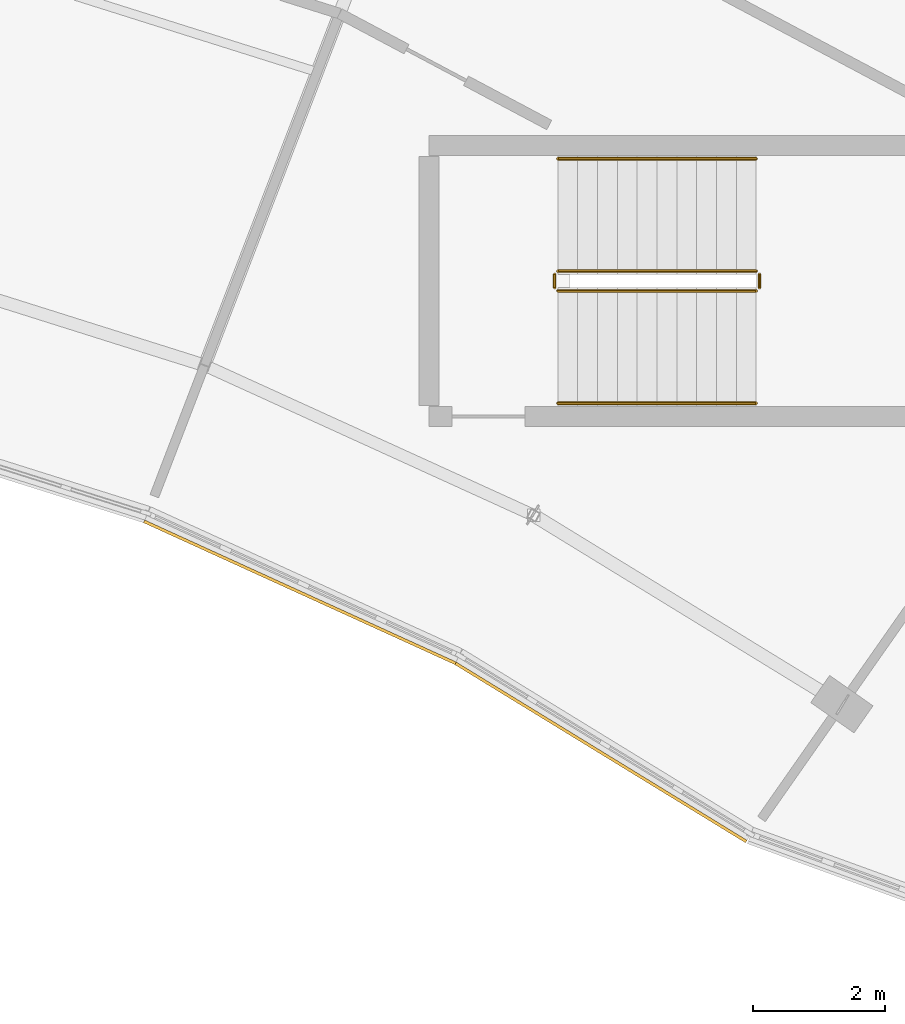
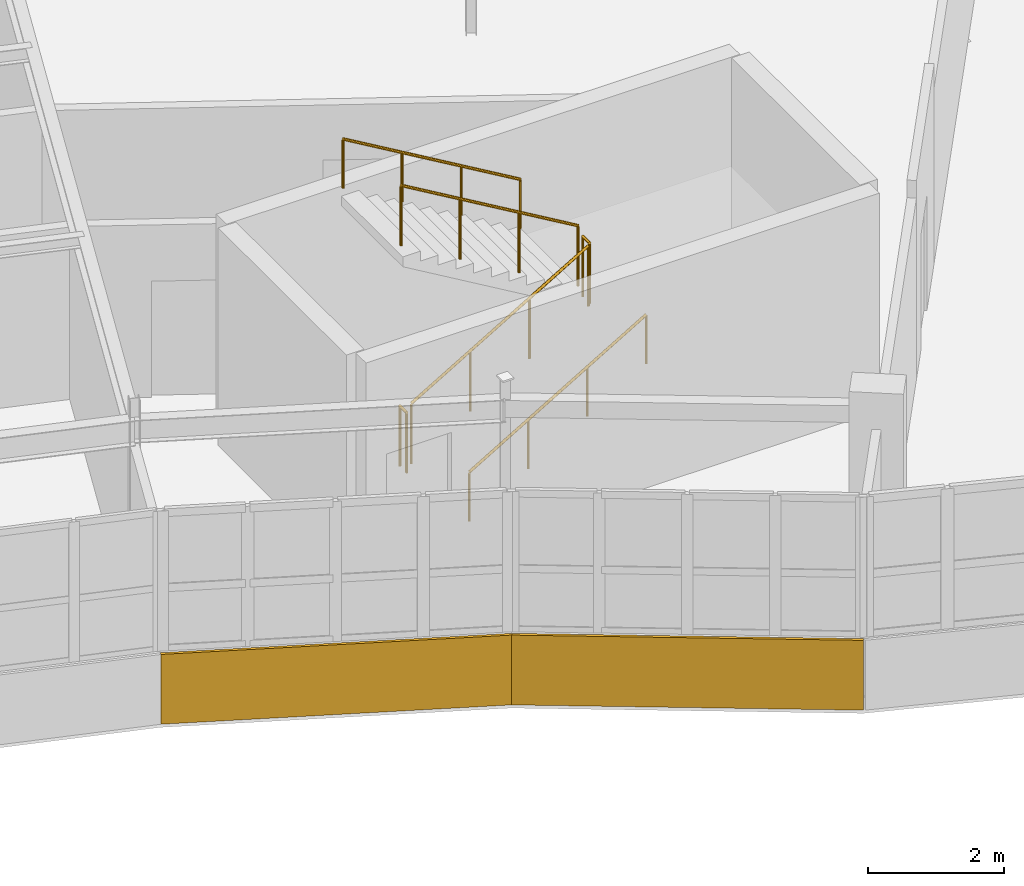
# One storey, part 64 of 65: 6 railings, 2 coverings.
"""IFC4 building model written with IfcOpenShell, lengths in metres."""

import ifcopenshell
import ifcopenshell.guid

model = None  # the IFC model being written
_history = None  # IfcOwnerHistory: only IFC2X3 demands one
_inside = {}  # id of a spatial element -> (the spatial element, [elements in it])
_under = {}  # id of a project, library or spatial element -> (it, [spatial elements below it])
_declared = {}  # id of a project -> (the project, [libraries it declares])
_typed = {}  # id of a type object -> (the type object, [elements of that type])
_made_of = {}  # id of a material, layer set ... -> (it, [elements and type objects made of it])


def new_model(schema):
    """Start an empty IFC model of exactly this schema.

    Asked for "IFC4X3", IfcOpenShell would pick the latest addendum, in which some entities
    have other attributes; the version numbers below select the first issue.
    IFC2X3 requires an IfcOwnerHistory on every rooted entity: one is made here for all.
    """
    global model, _history
    if schema == "IFC4X3":
        model = ifcopenshell.file(schema_version=(4, 3, 0, 0))
    else:
        model = ifcopenshell.file(schema=schema)
    _inside.clear()
    _under.clear()
    _declared.clear()
    _typed.clear()
    _made_of.clear()
    _history = None
    if model.schema == "IFC2X3":
        org = make("IfcOrganization", Name="unknown")
        user = make(
            "IfcPersonAndOrganization",
            ThePerson=make("IfcPerson", FamilyName="unknown"),
            TheOrganization=org,
        )
        app = make(
            "IfcApplication",
            ApplicationDeveloper=org,
            Version="unknown",
            ApplicationFullName="unknown",
            ApplicationIdentifier="unknown",
        )
        _history = make(
            "IfcOwnerHistory",
            OwningUser=user,
            OwningApplication=app,
            ChangeAction="ADDED",
            CreationDate=0,
        )
    return model


def make(cls, **values):
    """One entity of the class cls with the attributes given. An attribute that is None is left unset."""
    return model.create_entity(
        cls, **{name: value for name, value in values.items() if value is not None}
    )


def rooted(cls, **values):
    """An entity with a GlobalId (a new one), such as an element, a storey or a relation."""
    return make(cls, GlobalId=ifcopenshell.guid.new(), OwnerHistory=_history, **values)


def si_unit(unit_type, name, prefix=None):
    """IfcSIUnit, for example si_unit("LENGTHUNIT", "METRE", prefix="MILLI")."""
    return make("IfcSIUnit", UnitType=unit_type, Prefix=prefix, Name=name)


def assignment(units):
    """IfcUnitAssignment: the units of a project."""
    return None if units is None else make("IfcUnitAssignment", Units=units)


def point(xyz):
    """IfcCartesianPoint."""
    return None if xyz is None else make("IfcCartesianPoint", Coordinates=xyz)


def direction(xyz):
    """IfcDirection."""
    return None if xyz is None else make("IfcDirection", DirectionRatios=xyz)


def frame(location, z_axis=None, x_axis=None):
    """IfcAxis2Placement3D, a coordinate frame: its origin and axes. An axis left out is left unset."""
    return make(
        "IfcAxis2Placement3D",
        Location=point(location),
        Axis=direction(z_axis),
        RefDirection=direction(x_axis),
    )


def frame_2d(location, x_axis=None):
    """IfcAxis2Placement2D, a coordinate frame in the plane: its origin and x axis."""
    return make(
        "IfcAxis2Placement2D", Location=point(location), RefDirection=direction(x_axis)
    )


def origin():
    """The frame at (0, 0, 0) with its axes left unset."""
    return frame((0.0, 0.0, 0.0))


def origin_2d():
    """The frame at (0, 0) in the plane with its x axis left unset."""
    return frame_2d((0.0, 0.0))


def place(relative_to, where):
    """IfcLocalPlacement: puts the frame where relative to a parent placement (None: the world)."""
    return make(
        "IfcLocalPlacement", PlacementRelTo=relative_to, RelativePlacement=where
    )


def context(
    kind, dimensions, precision=None, world=None, true_north=None, identifier=None
):
    """IfcGeometricRepresentationContext, for example the 3D "Model" context."""
    return make(
        "IfcGeometricRepresentationContext",
        ContextIdentifier=identifier,
        ContextType=kind,
        CoordinateSpaceDimension=dimensions,
        Precision=precision,
        WorldCoordinateSystem=world,
        TrueNorth=true_north,
    )


def subcontext(parent, identifier, kind, view, scale=None):
    """IfcGeometricRepresentationSubContext, for example "Body" below "Model"."""
    return make(
        "IfcGeometricRepresentationSubContext",
        ContextIdentifier=identifier,
        ContextType=kind,
        ParentContext=parent,
        TargetScale=scale,
        TargetView=view,
    )


def project(units=None, contexts=None):
    """IfcProject with its units and contexts."""
    return rooted(
        "IfcProject",
        Name="project",
        RepresentationContexts=contexts,
        UnitsInContext=assignment(units),
    )


def spatial(cls, under=None, at=None, **own):
    """A site, building, storey or space (cls), placed at a placement, below another one or the project."""
    s = rooted(cls, ObjectPlacement=at, **own)
    if under is not None:
        _under.setdefault(under.id(), (under, []))[1].append(s)
    return s


def profile(cls, at=None, kind="AREA", **sizes):
    """A parametric profile (cls). Its sizes go by their IFC names, for example OverallWidth=200.0."""
    return make(cls, ProfileType=kind, Position=at, **sizes)


def rectangle(**sizes):
    """IfcRectangleProfileDef."""
    return profile("IfcRectangleProfileDef", **sizes)


def circle(**sizes):
    """IfcCircleProfileDef."""
    return profile("IfcCircleProfileDef", **sizes)


def extrude(swept, where, along, depth):
    """IfcExtrudedAreaSolid: the profile swept, set in the frame where, extruded along a direction by depth."""
    return make(
        "IfcExtrudedAreaSolid",
        SweptArea=swept,
        Position=where,
        ExtrudedDirection=direction(along),
        Depth=depth,
    )


def shape(context_of_items, identifier, shape_type, items):
    """IfcShapeRepresentation: the items that make up one representation, for example the "Body"."""
    return make(
        "IfcShapeRepresentation",
        ContextOfItems=context_of_items,
        RepresentationIdentifier=identifier,
        RepresentationType=shape_type,
        Items=items,
    )


def material(Name=None, Category=None):
    """IfcMaterial."""
    return make("IfcMaterial", Name=Name, Category=Category)


def layer(
    of_material, thickness, ventilated=None, Name=None, Category=None, Priority=None
):
    """IfcMaterialLayer: one layer of a wall or slab, of a material (None: an air gap)."""
    return make(
        "IfcMaterialLayer",
        Material=of_material,
        LayerThickness=thickness,
        IsVentilated=ventilated,
        Name=Name,
        Category=Category,
        Priority=Priority,
    )


def layer_set(layers, Name=None):
    """IfcMaterialLayerSet."""
    return make("IfcMaterialLayerSet", MaterialLayers=layers, LayerSetName=Name)


def made_of(thing, what):
    """Note that an element or type object is made of a material, layer set ...; save() writes the relation."""
    if what is not None:
        _made_of.setdefault(what.id(), (what, []))[1].append(thing)
    return thing


def type_object(cls, material=None, **own):
    """A type object (cls), such as IfcWallType, which elements share."""
    return made_of(rooted(cls, **own), material)


def element(
    cls,
    number,
    at=None,
    inside=None,
    cuts=None,
    type_object=None,
    material=None,
    context=None,
    identifier="Body",
    shape_type=None,
    held_by="IfcProductDefinitionShape",
    body=None,
    shapes=None,
    **own,
):
    """One element of the class cls, such as IfcWall. Its Tag is "e" and its number.

    at: its placement. inside: the storey or other place that contains it. cuts: it is an
    opening in that element (IfcRelVoidsElement). A single representation is given by context,
    identifier, shape_type and body (its items); several are given by shapes. held_by: the class
    of the entity that holds the representations. save() writes the other relations.
    """
    e = rooted(cls, Tag="e%d" % number, ObjectPlacement=at, **own)
    if body is not None:
        shapes = [shape(context, identifier, shape_type, body)]
    if shapes is not None:
        e.Representation = make(held_by, Representations=shapes)
    if inside is not None:
        _inside.setdefault(inside.id(), (inside, []))[1].append(e)
    if cuts is not None:
        rooted(
            "IfcRelVoidsElement", RelatingBuildingElement=cuts, RelatedOpeningElement=e
        )
    if type_object is not None:
        _typed.setdefault(type_object.id(), (type_object, []))[1].append(e)
    return made_of(e, material)


def aggregate(whole, parts):
    """IfcRelAggregates: a whole, such as a stair, and the parts it consists of."""
    return rooted("IfcRelAggregates", RelatingObject=whole, RelatedObjects=parts)


def save(model, path):
    """Write the relations noted so far, then the file.

    IfcRelAggregates (storeys below a building ...), IfcRelContainedInSpatialStructure (elements
    in a storey), IfcRelDefinesByType, IfcRelAssociatesMaterial and IfcRelDeclares: one each for
    every whole, place, type object, material and project.
    """
    for whole, parts in _under.values():
        aggregate(whole, parts)
    for where, things in _inside.values():
        rooted(
            "IfcRelContainedInSpatialStructure",
            RelatedElements=things,
            RelatingStructure=where,
        )
    for kind, things in _typed.values():
        rooted("IfcRelDefinesByType", RelatedObjects=things, RelatingType=kind)
    for what, things in _made_of.values():
        rooted("IfcRelAssociatesMaterial", RelatedObjects=things, RelatingMaterial=what)
    for by, libraries in _declared.values():
        rooted("IfcRelDeclares", RelatingContext=by, RelatedDefinitions=libraries)
    model.write(path)


model = new_model("IFC4")

# Units and contexts
model_context = context("Model", 3, precision=1e-05, world=origin(), true_north=direction((0.0, 1.0)))
body_context = subcontext(model_context, "Body", "Model", "MODEL_VIEW")
ifc_project = project(units=[si_unit("LENGTHUNIT", "METRE"), si_unit("AREAUNIT", "SQUARE_METRE"), si_unit("VOLUMEUNIT", "CUBIC_METRE"), si_unit("PLANEANGLEUNIT", "RADIAN"), si_unit("MASSUNIT", "GRAM", prefix="KILO")], contexts=[model_context])

# Site, building, storey
site_placement = place(None, origin())
site = spatial("IfcSite", under=ifc_project, at=site_placement, CompositionType="ELEMENT")
building_placement = place(site_placement, origin())
building = spatial("IfcBuilding", under=site, at=building_placement, Name="Tarnwether General Hospital", CompositionType="ELEMENT")
storey_placement = place(building_placement, frame((0.0, 0.0, 22.199951171875)))
storey = spatial("IfcBuildingStorey", under=building, at=storey_placement, Name="L05", CompositionType="ELEMENT", Elevation=22.199951171875)

# Coverings
ifc_material_1 = material(Name="Streamlined white enamelled aluminium", Category="aluminium")
ifc_layer = layer(ifc_material_1, 0.044921875)
ifc_layer_set = layer_set([ifc_layer], Name="Streamlined white enamelled aluminium")
covering_type = type_object("IfcCoveringType", Name="CV-CLD-WHT", PredefinedType="CLADDING", material=ifc_layer_set)
for number, where, z_axis, x_axis, name in (
    (1, (109.49609375, 101.389892578125, -0.175048828125), (0.0, 0.0, 1.0), (-0.909954032975, 0.414709124413, 0.0), "Streamlined White Horizontal Band NW L05 14"),
    (2, (114.0439453125, 98.971923828125, -0.175048828125), (0.0, 0.0, 1.0), (-0.852631044904, 0.522513446015, 0.0), "Streamlined White Horizontal Band NW L05 15"),
):
    element("IfcCovering", number, at=place(storey_placement, frame(where, z_axis=z_axis, x_axis=x_axis)), inside=storey, type_object=covering_type, Name=name, PredefinedType="CLADDING", context=body_context, shape_type="SweptSolid", body=[
        extrude(rectangle(XDim=5.177001953125, YDim=0.044921875, at=origin_2d()), origin(), (0.0, 0.0, 1.0), 1.25),
    ])

# Railings
ifc_material_2 = material(Name="Anodised aluminium", Category="aluminium")
railing_type_1 = type_object("IfcRailingType", Name="RL-GRD-INT", PredefinedType="GUARDRAIL", material=ifc_material_2)
railing_1_placement = place(storey_placement, frame((113.39990234375, 105.949951171875, 0.17724609375)))
element("IfcRailing", 3, at=railing_1_placement, inside=storey, type_object=railing_type_1, Name="L05 ST-08 stair guard 1", PredefinedType="GUARDRAIL", context=body_context, shape_type="SweptSolid", body=[
    extrude(circle(Radius=0.02392578125, at=origin_2d()), frame((0.0, 0.0, 1.076171875), z_axis=(0.86092931783, 0.0, 0.508724591208), x_axis=(0.0, 1.0, 0.0)), (0.0, 0.0, 1.0), 3.484619140625),
    extrude(circle(Radius=0.02099609375, at=origin_2d()), origin(), (0.0, 0.0, 1.0), 1.052001953125),
    extrude(circle(Radius=0.02099609375, at=origin_2d()), frame((1.0, 0.0, 0.5908203125)), (0.0, 0.0, 1.0), 1.052001953125),
    extrude(circle(Radius=0.02099609375, at=origin_2d()), frame((2.0, 0.0, 1.181884765625)), (0.0, 0.0, 1.0), 1.052001953125),
    extrude(circle(Radius=0.02099609375, at=origin_2d()), frame((3.0, 0.0, 1.772705078125)), (0.0, 0.0, 1.0), 1.052001953125),
])
railing_2_placement = place(storey_placement, frame((116.449951171875, 106.0, 1.949951171875)))
element("IfcRailing", 4, at=railing_2_placement, inside=storey, type_object=railing_type_1, Name="L05 ST-08 stair guard 2", PredefinedType="GUARDRAIL", context=body_context, shape_type="SweptSolid", body=[
    extrude(circle(Radius=0.02392578125, at=origin_2d()), frame((0.0, 0.0, 1.076171875), z_axis=(0.0, 1.0, 0.0), x_axis=(-1.0, 0.0, 0.0)), (0.0, 0.0, 1.0), 0.199951171875),
    extrude(circle(Radius=0.02099609375, at=origin_2d()), origin(), (0.0, 0.0, 1.0), 1.052001953125),
    extrude(circle(Radius=0.02099609375, at=origin_2d()), frame((0.0, 0.199951171875, 0.0)), (0.0, 0.0, 1.0), 1.052001953125),
])
railing_3_placement = place(storey_placement, frame((116.39990234375, 106.25, 2.12744140625)))
element("IfcRailing", 5, at=railing_3_placement, inside=storey, type_object=railing_type_1, Name="L05 ST-08 stair guard 3", PredefinedType="GUARDRAIL", context=body_context, shape_type="SweptSolid", body=[
    extrude(circle(Radius=0.02392578125, at=origin_2d()), frame((0.0, 0.0, 1.076171875), z_axis=(-0.86092931783, 0.0, 0.508724591208), x_axis=(0.0, -1.0, 0.0)), (0.0, 0.0, 1.0), 3.484619140625),
    extrude(circle(Radius=0.02099609375, at=origin_2d()), origin(), (0.0, 0.0, 1.0), 1.052001953125),
    extrude(circle(Radius=0.02099609375, at=origin_2d()), frame((-1.0, 0.0, 0.5908203125)), (0.0, 0.0, 1.0), 1.052001953125),
    extrude(circle(Radius=0.02099609375, at=origin_2d()), frame((-2.0, 0.0, 1.181884765625)), (0.0, 0.0, 1.0), 1.052001953125),
    extrude(circle(Radius=0.02099609375, at=origin_2d()), frame((-3.0, 0.0, 1.772705078125)), (0.0, 0.0, 1.0), 1.052001953125),
])
railing_4_placement = place(storey_placement, frame((113.35009765625, 106.0, 0.0)))
element("IfcRailing", 6, at=railing_4_placement, inside=storey, type_object=railing_type_1, Name="L05 ST-08 stair guard 4", PredefinedType="GUARDRAIL", context=body_context, shape_type="SweptSolid", body=[
    extrude(circle(Radius=0.02392578125, at=origin_2d()), frame((0.0, 0.0, 1.076171875), z_axis=(0.0, 1.0, 0.0), x_axis=(-1.0, 0.0, 0.0)), (0.0, 0.0, 1.0), 0.199951171875),
    extrude(circle(Radius=0.02099609375, at=origin_2d()), origin(), (0.0, 0.0, 1.0), 1.052001953125),
    extrude(circle(Radius=0.02099609375, at=origin_2d()), frame((0.0, 0.199951171875, 0.0)), (0.0, 0.0, 1.0), 1.052001953125),
])
ifc_material_3 = material(Name="Anodised aluminium", Category="aluminium")
railing_type_2 = type_object("IfcRailingType", Name="RL-HND-INT", PredefinedType="HANDRAIL", material=ifc_material_3)
railing_5_placement = place(storey_placement, frame((113.39990234375, 104.25, 0.17724609375)))
element("IfcRailing", 7, at=railing_5_placement, inside=storey, type_object=railing_type_2, Name="L05 ST-08 stair handrail 1", PredefinedType="HANDRAIL", context=body_context, shape_type="SweptSolid", body=[
    extrude(circle(Radius=0.02392578125, at=origin_2d()), frame((0.0, 0.0, 0.8759765625), z_axis=(0.86092931783, 0.0, 0.508724591208), x_axis=(0.0, 1.0, 0.0)), (0.0, 0.0, 1.0), 3.484619140625),
    extrude(circle(Radius=0.02099609375, at=origin_2d()), origin(), (0.0, 0.0, 1.0), 0.851806640625),
    extrude(circle(Radius=0.02099609375, at=origin_2d()), frame((1.0, 0.0, 0.5908203125)), (0.0, 0.0, 1.0), 0.851806640625),
    extrude(circle(Radius=0.02099609375, at=origin_2d()), frame((2.0, 0.0, 1.181884765625)), (0.0, 0.0, 1.0), 0.851806640625),
    extrude(circle(Radius=0.02099609375, at=origin_2d()), frame((3.0, 0.0, 1.772705078125)), (0.0, 0.0, 1.0), 0.851806640625),
])
railing_6_placement = place(storey_placement, frame((116.39990234375, 107.949951171875, 2.12744140625)))
element("IfcRailing", 8, at=railing_6_placement, inside=storey, type_object=railing_type_2, Name="L05 ST-08 stair handrail 2", PredefinedType="HANDRAIL", context=body_context, shape_type="SweptSolid", body=[
    extrude(circle(Radius=0.02392578125, at=origin_2d()), frame((0.0, 0.0, 0.8759765625), z_axis=(-0.86092931783, 0.0, 0.508724591208), x_axis=(0.0, -1.0, 0.0)), (0.0, 0.0, 1.0), 3.484619140625),
    extrude(circle(Radius=0.02099609375, at=origin_2d()), origin(), (0.0, 0.0, 1.0), 0.851806640625),
    extrude(circle(Radius=0.02099609375, at=origin_2d()), frame((-1.0, 0.0, 0.5908203125)), (0.0, 0.0, 1.0), 0.851806640625),
    extrude(circle(Radius=0.02099609375, at=origin_2d()), frame((-2.0, 0.0, 1.181884765625)), (0.0, 0.0, 1.0), 0.851806640625),
    extrude(circle(Radius=0.02099609375, at=origin_2d()), frame((-3.0, 0.0, 1.772705078125)), (0.0, 0.0, 1.0), 0.851806640625),
])

save(model, "model.ifc")
